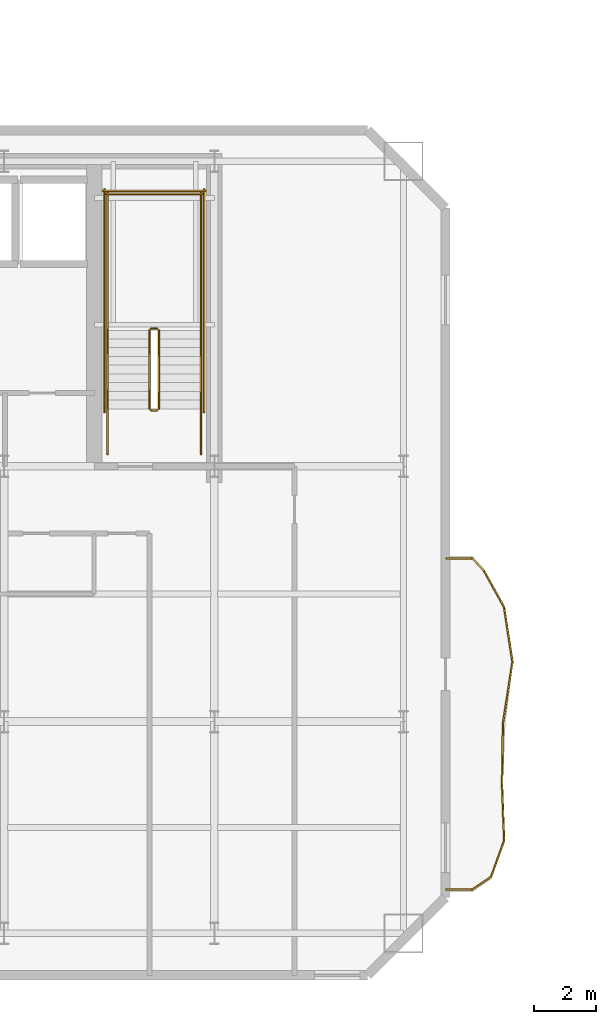
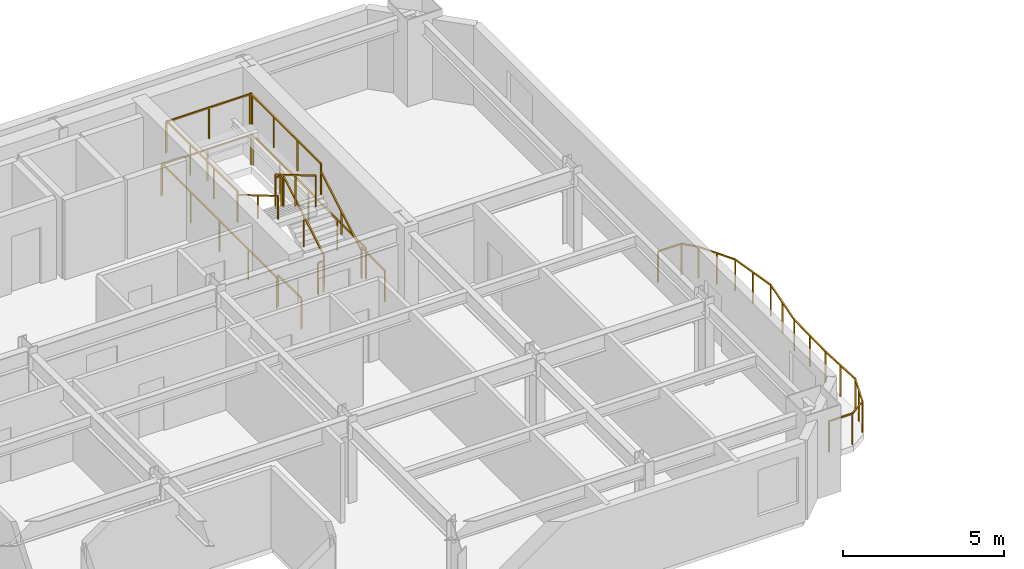
# One storey, part 11 of 13: 24 railings.
"""IFC4 building model written with IfcOpenShell, lengths in metres."""

from ifc_helpers import new_model, si_unit, direction, frame, origin, origin_2d, place, context, subcontext, project, spatial, rectangle, extrude, material, type_object, element, save


model = new_model("IFC4")

# Units and contexts
model_context = context("Model", 3, precision=1e-05, world=origin(), true_north=direction((0.0, 1.0)))
body_context = subcontext(model_context, "Body", "Model", "MODEL_VIEW")
ifc_project = project(units=[si_unit("LENGTHUNIT", "METRE"), si_unit("AREAUNIT", "SQUARE_METRE"), si_unit("VOLUMEUNIT", "CUBIC_METRE"), si_unit("PLANEANGLEUNIT", "RADIAN"), si_unit("MASSUNIT", "GRAM", prefix="KILO")], contexts=[model_context])

# Site, building, storey
site_placement = place(None, origin())
site = spatial("IfcSite", under=ifc_project, at=site_placement, CompositionType="ELEMENT")
building_placement = place(site_placement, origin())
building = spatial("IfcBuilding", under=site, at=building_placement, Name="Haevon Station Towers", CompositionType="ELEMENT")
storey_placement = place(building_placement, frame((0.0, 0.0, 159.300048828125)))
storey = spatial("IfcBuildingStorey", under=building, at=storey_placement, Name="L43", CompositionType="ELEMENT", Elevation=159.300048828125)

# Railings
ifc_material = material(Name="Steel S355", Category="steel")
railing_type_1 = type_object("IfcRailingType", Name="GRD-EXT1200", PredefinedType="GUARDRAIL", material=ifc_material)
railing_1_placement = place(storey_placement, frame((58.448486328125, 24.602783203125, 0.0)))
element("IfcRailing", 1, at=railing_1_placement, inside=storey, type_object=railing_type_1, Name="L43 Perimeter Guardrail 1", PredefinedType="GUARDRAIL", context=body_context, shape_type="SweptSolid", body=[
    extrude(rectangle(XDim=0.048095703125, YDim=0.048095703125, at=origin_2d()), frame((0.0, 0.0, 1.17578125), z_axis=(0.999997283225, 0.002330995998, 0.0), x_axis=(-0.002330995998, 0.999997283225, 0.0)), (0.0, 0.0, 1.0), 0.837890625),
    extrude(rectangle(XDim=0.0419921875, YDim=0.0419921875, at=origin_2d()), origin(), (0.0, 0.0, 1.0), 1.15185546875),
    extrude(rectangle(XDim=0.0419921875, YDim=0.0419921875, at=origin_2d()), frame((0.837890625, 0.001953125, 0.0)), (0.0, 0.0, 1.0), 1.15185546875),
])
railing_2_placement = place(storey_placement, frame((59.286376953125, 24.604736328125, 0.0)))
element("IfcRailing", 2, at=railing_2_placement, inside=storey, type_object=railing_type_1, Name="L43 Perimeter Guardrail 2", PredefinedType="GUARDRAIL", context=body_context, shape_type="SweptSolid", body=[
    extrude(rectangle(XDim=0.048095703125, YDim=0.048095703125, at=origin_2d()), frame((0.0, 0.0, 1.17578125), z_axis=(0.826509956725, 0.56292210068, 0.0), x_axis=(-0.56292210068, 0.826509956725, 0.0)), (0.0, 0.0, 1.0), 0.730712890625),
    extrude(rectangle(XDim=0.0419921875, YDim=0.0419921875, at=origin_2d()), origin(), (0.0, 0.0, 1.0), 1.15185546875),
    extrude(rectangle(XDim=0.0419921875, YDim=0.0419921875, at=origin_2d()), frame((0.60400390625, 0.411376953125, 0.0)), (0.0, 0.0, 1.0), 1.15185546875),
])
railing_3_placement = place(storey_placement, frame((59.890380859375, 25.01611328125, 0.0)))
element("IfcRailing", 3, at=railing_3_placement, inside=storey, type_object=railing_type_1, Name="L43 Perimeter Guardrail 3", PredefinedType="GUARDRAIL", context=body_context, shape_type="SweptSolid", body=[
    extrude(rectangle(XDim=0.048095703125, YDim=0.048095703125, at=origin_2d()), frame((0.0, 0.0, 1.17578125), z_axis=(0.337431724069, 0.941350004829, 0.0), x_axis=(-0.941350004829, 0.337431724069, 0.0)), (0.0, 0.0, 1.0), 1.2421875),
    extrude(rectangle(XDim=0.0419921875, YDim=0.0419921875, at=origin_2d()), origin(), (0.0, 0.0, 1.0), 1.15185546875),
    extrude(rectangle(XDim=0.0419921875, YDim=0.0419921875, at=origin_2d()), frame((0.20947265625, 0.584716796875, 0.0)), (0.0, 0.0, 1.0), 1.15185546875),
    extrude(rectangle(XDim=0.0419921875, YDim=0.0419921875, at=origin_2d()), frame((0.419189453125, 1.16943359375, 0.0)), (0.0, 0.0, 1.0), 1.15185546875),
])
railing_4_placement = place(storey_placement, frame((60.3095703125, 26.185546875, 0.0)))
element("IfcRailing", 4, at=railing_4_placement, inside=storey, type_object=railing_type_1, Name="L43 Perimeter Guardrail 4", PredefinedType="GUARDRAIL", context=body_context, shape_type="SweptSolid", body=[
    extrude(rectangle(XDim=0.048095703125, YDim=0.048095703125, at=origin_2d()), frame((0.0, 0.0, 1.17578125), z_axis=(-0.036800275781, 0.999322640443, 0.0), x_axis=(-0.999322640443, -0.036800275781, 0.0)), (0.0, 0.0, 1.0), 1.75146484375),
    extrude(rectangle(XDim=0.0419921875, YDim=0.0419921875, at=origin_2d()), origin(), (0.0, 0.0, 1.0), 1.15185546875),
    extrude(rectangle(XDim=0.0419921875, YDim=0.0419921875, at=origin_2d()), frame((-0.0322265625, 0.875, 0.0)), (0.0, 0.0, 1.0), 1.15185546875),
    extrude(rectangle(XDim=0.0419921875, YDim=0.0419921875, at=origin_2d()), frame((-0.064453125, 1.750244140625, 0.0)), (0.0, 0.0, 1.0), 1.15185546875),
])
railing_5_placement = place(storey_placement, frame((60.2451171875, 27.935791015625, 0.0)))
element("IfcRailing", 5, at=railing_5_placement, inside=storey, type_object=railing_type_1, Name="L43 Perimeter Guardrail 5", PredefinedType="GUARDRAIL", context=body_context, shape_type="SweptSolid", body=[
    extrude(rectangle(XDim=0.048095703125, YDim=0.048095703125, at=origin_2d()), frame((0.0, 0.0, 1.17578125), z_axis=(0.01276282884, 0.999918551783, 0.0), x_axis=(-0.999918551783, 0.01276282884, 0.0)), (0.0, 0.0, 1.0), 1.989501953125),
    extrude(rectangle(XDim=0.0419921875, YDim=0.0419921875, at=origin_2d()), origin(), (0.0, 0.0, 1.0), 1.15185546875),
    extrude(rectangle(XDim=0.0419921875, YDim=0.0419921875, at=origin_2d()), frame((0.0126953125, 0.99462890625, 0.0)), (0.0, 0.0, 1.0), 1.15185546875),
    extrude(rectangle(XDim=0.0419921875, YDim=0.0419921875, at=origin_2d()), frame((0.025390625, 1.9892578125, 0.0)), (0.0, 0.0, 1.0), 1.15185546875),
])
railing_6_placement = place(storey_placement, frame((60.2705078125, 29.925048828125, 0.0)))
element("IfcRailing", 6, at=railing_6_placement, inside=storey, type_object=railing_type_1, Name="L43 Perimeter Guardrail 6", PredefinedType="GUARDRAIL", context=body_context, shape_type="SweptSolid", body=[
    extrude(rectangle(XDim=0.048095703125, YDim=0.048095703125, at=origin_2d()), frame((0.0, 0.0, 1.17578125), z_axis=(0.151957098887, 0.988387090212, 0.0), x_axis=(-0.988387090212, 0.151957098887, 0.0)), (0.0, 0.0, 1.0), 2.016357421875),
    extrude(rectangle(XDim=0.0419921875, YDim=0.0419921875, at=origin_2d()), origin(), (0.0, 0.0, 1.0), 1.15185546875),
    extrude(rectangle(XDim=0.0419921875, YDim=0.0419921875, at=origin_2d()), frame((0.1533203125, 0.99658203125, 0.0)), (0.0, 0.0, 1.0), 1.15185546875),
    extrude(rectangle(XDim=0.0419921875, YDim=0.0419921875, at=origin_2d()), frame((0.306396484375, 1.992919921875, 0.0)), (0.0, 0.0, 1.0), 1.15185546875),
])
railing_7_placement = place(storey_placement, frame((60.576904296875, 31.91796875, 0.0)))
element("IfcRailing", 7, at=railing_7_placement, inside=storey, type_object=railing_type_1, Name="L43 Perimeter Guardrail 7", PredefinedType="GUARDRAIL", context=body_context, shape_type="SweptSolid", body=[
    extrude(rectangle(XDim=0.048095703125, YDim=0.048095703125, at=origin_2d()), frame((0.0, 0.0, 1.17578125), z_axis=(-0.151319853564, 0.988484851638, 0.0), x_axis=(-0.988484851638, -0.151319853564, 0.0)), (0.0, 0.0, 1.0), 1.7666015625),
    extrude(rectangle(XDim=0.0419921875, YDim=0.0419921875, at=origin_2d()), origin(), (0.0, 0.0, 1.0), 1.15185546875),
    extrude(rectangle(XDim=0.0419921875, YDim=0.0419921875, at=origin_2d()), frame((-0.1337890625, 0.873046875, 0.0)), (0.0, 0.0, 1.0), 1.15185546875),
    extrude(rectangle(XDim=0.0419921875, YDim=0.0419921875, at=origin_2d()), frame((-0.267333984375, 1.746337890625, 0.0)), (0.0, 0.0, 1.0), 1.15185546875),
])
railing_8_placement = place(storey_placement, frame((60.3095703125, 33.664306640625, 0.0)))
element("IfcRailing", 8, at=railing_8_placement, inside=storey, type_object=railing_type_1, Name="L43 Perimeter Guardrail 8", PredefinedType="GUARDRAIL", context=body_context, shape_type="SweptSolid", body=[
    extrude(rectangle(XDim=0.048095703125, YDim=0.048095703125, at=origin_2d()), frame((0.0, 0.0, 1.17578125), z_axis=(-0.483314021396, 0.875447061062, 0.0), x_axis=(-0.875447061062, -0.483314021396, 0.0)), (0.0, 0.0, 1.0), 1.336181640625),
    extrude(rectangle(XDim=0.0419921875, YDim=0.0419921875, at=origin_2d()), origin(), (0.0, 0.0, 1.0), 1.15185546875),
    extrude(rectangle(XDim=0.0419921875, YDim=0.0419921875, at=origin_2d()), frame((-0.32275390625, 0.5849609375, 0.0)), (0.0, 0.0, 1.0), 1.15185546875),
    extrude(rectangle(XDim=0.0419921875, YDim=0.0419921875, at=origin_2d()), frame((-0.645751953125, 1.169677734375, 0.0)), (0.0, 0.0, 1.0), 1.15185546875),
])
railing_9_placement = place(storey_placement, frame((59.663818359375, 34.833984375, 0.0)))
element("IfcRailing", 9, at=railing_9_placement, inside=storey, type_object=railing_type_1, Name="L43 Perimeter Guardrail 9", PredefinedType="GUARDRAIL", context=body_context, shape_type="SweptSolid", body=[
    extrude(rectangle(XDim=0.048095703125, YDim=0.048095703125, at=origin_2d()), frame((0.0, 0.0, 1.17578125), z_axis=(-0.676061194254, 0.736845480154, 0.0), x_axis=(-0.736845480154, -0.676061194254, 0.0)), (0.0, 0.0, 1.0), 0.558349609375),
    extrude(rectangle(XDim=0.0419921875, YDim=0.0419921875, at=origin_2d()), origin(), (0.0, 0.0, 1.0), 1.15185546875),
    extrude(rectangle(XDim=0.0419921875, YDim=0.0419921875, at=origin_2d()), frame((-0.37744140625, 0.411376953125, 0.0)), (0.0, 0.0, 1.0), 1.15185546875),
])
railing_10_placement = place(storey_placement, frame((59.286376953125, 35.245361328125, 0.0)))
element("IfcRailing", 10, at=railing_10_placement, inside=storey, type_object=railing_type_1, Name="L43 Perimeter Guardrail 10", PredefinedType="GUARDRAIL", context=body_context, shape_type="SweptSolid", body=[
    extrude(rectangle(XDim=0.048095703125, YDim=0.048095703125, at=origin_2d()), frame((0.0, 0.0, 1.17578125), z_axis=(-0.999997919967, 0.002039622797, 0.0), x_axis=(-0.002039622797, -0.999997919967, 0.0)), (0.0, 0.0, 1.0), 0.837890625),
    extrude(rectangle(XDim=0.0419921875, YDim=0.0419921875, at=origin_2d()), origin(), (0.0, 0.0, 1.0), 1.15185546875),
    extrude(rectangle(XDim=0.0419921875, YDim=0.0419921875, at=origin_2d()), frame((-0.837890625, 0.001708984375, 0.0)), (0.0, 0.0, 1.0), 1.15185546875),
])
railing_type_2 = type_object("IfcRailingType", Name="GRD-STR1200", PredefinedType="GUARDRAIL", material=ifc_material)
railing_11_placement = place(storey_placement, frame((49.219970703125, 40.050048828125, 0.1650390625)))
element("IfcRailing", 11, at=railing_11_placement, inside=storey, type_object=railing_type_2, Name="L43 ST2 Stair Guard 1", PredefinedType="GUARDRAIL", context=body_context, shape_type="SweptSolid", body=[
    extrude(rectangle(XDim=0.048095703125, YDim=0.048095703125, at=origin_2d()), frame((0.0, 0.0, 1.17578125), z_axis=(0.0, 0.861560626758, 0.507654692109), x_axis=(-1.0, 0.0, 0.0)), (0.0, 0.0, 1.0), 2.925048828125),
    extrude(rectangle(XDim=0.0419921875, YDim=0.0419921875, at=origin_2d()), origin(), (0.0, 0.0, 1.0), 1.15185546875),
    extrude(rectangle(XDim=0.0419921875, YDim=0.0419921875, at=origin_2d()), frame((0.0, 1.260009765625, 0.742431640625)), (0.0, 0.0, 1.0), 1.15185546875),
    extrude(rectangle(XDim=0.0419921875, YDim=0.0419921875, at=origin_2d()), frame((0.0, 2.52001953125, 1.48486328125)), (0.0, 0.0, 1.0), 1.15185546875),
])
railing_12_placement = place(storey_placement, frame((49.169921875, 42.6201171875, 1.64990234375)))
element("IfcRailing", 12, at=railing_12_placement, inside=storey, type_object=railing_type_2, Name="L43 ST2 Stair Guard 2", PredefinedType="GUARDRAIL", context=body_context, shape_type="SweptSolid", body=[
    extrude(rectangle(XDim=0.048095703125, YDim=0.048095703125, at=origin_2d()), frame((0.0, 0.0, 1.17578125), z_axis=(-1.0, 0.0, 0.0), x_axis=(0.0, -1.0, 0.0)), (0.0, 0.0, 1.0), 0.199951171875),
    extrude(rectangle(XDim=0.0419921875, YDim=0.0419921875, at=origin_2d()), origin(), (0.0, 0.0, 1.0), 1.15185546875),
    extrude(rectangle(XDim=0.0419921875, YDim=0.0419921875, at=origin_2d()), frame((-0.199951171875, 0.0, 0.0)), (0.0, 0.0, 1.0), 1.15185546875),
])
for number, where, name in (
    (13, (50.570068359375, 42.570068359375, 1.64990234375), "L43 ST2 Stair Guard 3"),
    (14, (47.570068359375, 42.570068359375, 1.64990234375), "L43 ST2 Stair Guard 4"),
):
    element("IfcRailing", number, at=place(storey_placement, frame(where)), inside=storey, type_object=railing_type_2, Name=name, PredefinedType="GUARDRAIL", context=body_context, shape_type="SweptSolid", body=[
        extrude(rectangle(XDim=0.048095703125, YDim=0.048095703125, at=origin_2d()), frame((0.0, 0.0, 1.17578125), z_axis=(0.0, 1.0, 0.0), x_axis=(-1.0, 0.0, 0.0)), (0.0, 0.0, 1.0), 4.429931640625),
        extrude(rectangle(XDim=0.0419921875, YDim=0.0419921875, at=origin_2d()), origin(), (0.0, 0.0, 1.0), 1.15185546875),
        extrude(rectangle(XDim=0.0419921875, YDim=0.0419921875, at=origin_2d()), frame((0.0, 1.4765625, 0.0)), (0.0, 0.0, 1.0), 1.15185546875),
        extrude(rectangle(XDim=0.0419921875, YDim=0.0419921875, at=origin_2d()), frame((0.0, 2.953369140625, 0.0)), (0.0, 0.0, 1.0), 1.15185546875),
        extrude(rectangle(XDim=0.0419921875, YDim=0.0419921875, at=origin_2d()), frame((0.0, 4.429931640625, 0.0)), (0.0, 0.0, 1.0), 1.15185546875),
    ])
railing_13_placement = place(storey_placement, frame((50.6201171875, 46.949951171875, 1.64990234375)))
element("IfcRailing", 15, at=railing_13_placement, inside=storey, type_object=railing_type_2, Name="L43 ST2 Stair Guard 5", PredefinedType="GUARDRAIL", context=body_context, shape_type="SweptSolid", body=[
    extrude(rectangle(XDim=0.048095703125, YDim=0.048095703125, at=origin_2d()), frame((0.0, 0.0, 1.17578125), z_axis=(-1.0, 0.0, 0.0), x_axis=(0.0, -1.0, 0.0)), (0.0, 0.0, 1.0), 3.10009765625),
    extrude(rectangle(XDim=0.0419921875, YDim=0.0419921875, at=origin_2d()), origin(), (0.0, 0.0, 1.0), 1.15185546875),
    extrude(rectangle(XDim=0.0419921875, YDim=0.0419921875, at=origin_2d()), frame((-1.550048828125, 0.0, 0.0)), (0.0, 0.0, 1.0), 1.15185546875),
    extrude(rectangle(XDim=0.0419921875, YDim=0.0419921875, at=origin_2d()), frame((-3.10009765625, 0.0, 0.0)), (0.0, 0.0, 1.0), 1.15185546875),
])
railing_14_placement = place(storey_placement, frame((48.919921875, 42.570068359375, 1.81494140625)))
element("IfcRailing", 16, at=railing_14_placement, inside=storey, type_object=railing_type_2, Name="L43 ST2 Stair Guard 6", PredefinedType="GUARDRAIL", context=body_context, shape_type="SweptSolid", body=[
    extrude(rectangle(XDim=0.048095703125, YDim=0.048095703125, at=origin_2d()), frame((0.0, 0.0, 1.17578125), z_axis=(0.0, -0.86152411907, 0.507716645641), x_axis=(1.0, 0.0, 0.0)), (0.0, 0.0, 1.0), 2.925048828125),
    extrude(rectangle(XDim=0.0419921875, YDim=0.0419921875, at=origin_2d()), origin(), (0.0, 0.0, 1.0), 1.15185546875),
    extrude(rectangle(XDim=0.0419921875, YDim=0.0419921875, at=origin_2d()), frame((0.0, -1.260009765625, 0.74267578125)), (0.0, 0.0, 1.0), 1.15185546875),
    extrude(rectangle(XDim=0.0419921875, YDim=0.0419921875, at=origin_2d()), frame((0.0, -2.52001953125, 1.485107421875)), (0.0, 0.0, 1.0), 1.15185546875),
])
railing_15_placement = place(storey_placement, frame((49.169921875, 40.0, 0.0)))
element("IfcRailing", 17, at=railing_15_placement, inside=storey, type_object=railing_type_2, Name="L43 ST2 Stair Guard 7", PredefinedType="GUARDRAIL", context=body_context, shape_type="SweptSolid", body=[
    extrude(rectangle(XDim=0.048095703125, YDim=0.048095703125, at=origin_2d()), frame((0.0, 0.0, 1.17578125), z_axis=(-1.0, 0.0, 0.0), x_axis=(0.0, -1.0, 0.0)), (0.0, 0.0, 1.0), 0.199951171875),
    extrude(rectangle(XDim=0.0419921875, YDim=0.0419921875, at=origin_2d()), origin(), (0.0, 0.0, 1.0), 1.15185546875),
    extrude(rectangle(XDim=0.0419921875, YDim=0.0419921875, at=origin_2d()), frame((-0.199951171875, 0.0, 0.0)), (0.0, 0.0, 1.0), 1.15185546875),
])
for number, where, name in (
    (18, (50.570068359375, 38.60009765625, 0.0), "L43 ST2 Stair Guard 8"),
    (19, (47.570068359375, 38.60009765625, 0.0), "L43 ST2 Stair Guard 9"),
):
    element("IfcRailing", number, at=place(storey_placement, frame(where)), inside=storey, type_object=railing_type_2, Name=name, PredefinedType="GUARDRAIL", context=body_context, shape_type="SweptSolid", body=[
        extrude(rectangle(XDim=0.048095703125, YDim=0.048095703125, at=origin_2d()), frame((0.0, 0.0, 1.17578125), z_axis=(0.0, 1.0, 0.0), x_axis=(-1.0, 0.0, 0.0)), (0.0, 0.0, 1.0), 1.449951171875),
        extrude(rectangle(XDim=0.0419921875, YDim=0.0419921875, at=origin_2d()), origin(), (0.0, 0.0, 1.0), 1.15185546875),
        extrude(rectangle(XDim=0.0419921875, YDim=0.0419921875, at=origin_2d()), frame((0.0, 1.449951171875, 0.0)), (0.0, 0.0, 1.0), 1.15185546875),
    ])
for number, where, name in (
    (20, (50.669921875, 39.949951171875, 0.0), "L43 ST2 Stair Guard 10"),
    (21, (47.469970703125, 39.949951171875, 0.0), "L43 ST2 Stair Guard 11"),
):
    element("IfcRailing", number, at=place(storey_placement, frame(where)), inside=storey, type_object=railing_type_2, Name=name, PredefinedType="GUARDRAIL", context=body_context, shape_type="SweptSolid", body=[
        extrude(rectangle(XDim=0.048095703125, YDim=0.048095703125, at=origin_2d()), frame((0.0, 0.0, 1.17578125), z_axis=(0.0, 1.0, 0.0), x_axis=(-1.0, 0.0, 0.0)), (0.0, 0.0, 1.0), 7.150146484375),
        extrude(rectangle(XDim=0.0419921875, YDim=0.0419921875, at=origin_2d()), origin(), (0.0, 0.0, 1.0), 1.15185546875),
        extrude(rectangle(XDim=0.0419921875, YDim=0.0419921875, at=origin_2d()), frame((0.0, 1.78759765625, 0.0)), (0.0, 0.0, 1.0), 1.15185546875),
        extrude(rectangle(XDim=0.0419921875, YDim=0.0419921875, at=origin_2d()), frame((0.0, 3.5751953125, 0.0)), (0.0, 0.0, 1.0), 1.15185546875),
        extrude(rectangle(XDim=0.0419921875, YDim=0.0419921875, at=origin_2d()), frame((0.0, 5.362548828125, 0.0)), (0.0, 0.0, 1.0), 1.15185546875),
        extrude(rectangle(XDim=0.0419921875, YDim=0.0419921875, at=origin_2d()), frame((0.0, 7.150146484375, 0.0)), (0.0, 0.0, 1.0), 1.15185546875),
    ])
railing_16_placement = place(storey_placement, frame((50.719970703125, 47.050048828125, 0.0)))
element("IfcRailing", 22, at=railing_16_placement, inside=storey, type_object=railing_type_2, Name="L43 ST2 Stair Guard 12", PredefinedType="GUARDRAIL", context=body_context, shape_type="SweptSolid", body=[
    extrude(rectangle(XDim=0.048095703125, YDim=0.048095703125, at=origin_2d()), frame((0.0, 0.0, 1.17578125), z_axis=(-1.0, 0.0, 0.0), x_axis=(0.0, -1.0, 0.0)), (0.0, 0.0, 1.0), 3.300048828125),
    extrude(rectangle(XDim=0.0419921875, YDim=0.0419921875, at=origin_2d()), origin(), (0.0, 0.0, 1.0), 1.15185546875),
    extrude(rectangle(XDim=0.0419921875, YDim=0.0419921875, at=origin_2d()), frame((-1.64990234375, 0.0, 0.0)), (0.0, 0.0, 1.0), 1.15185546875),
    extrude(rectangle(XDim=0.0419921875, YDim=0.0419921875, at=origin_2d()), frame((-3.300048828125, 0.0, 0.0)), (0.0, 0.0, 1.0), 1.15185546875),
])
railing_type_3 = type_object("IfcRailingType", Name="HND-STR900", PredefinedType="HANDRAIL", material=ifc_material)
railing_17_placement = place(storey_placement, frame((50.570068359375, 40.050048828125, 0.1650390625)))
element("IfcRailing", 23, at=railing_17_placement, inside=storey, type_object=railing_type_3, Name="L43 ST2 Stair Handrail 1", PredefinedType="HANDRAIL", context=body_context, shape_type="SweptSolid", body=[
    extrude(rectangle(XDim=0.048095703125, YDim=0.048095703125, at=origin_2d()), frame((0.0, 0.0, 0.8759765625), z_axis=(0.0, 0.861560626758, 0.507654692109), x_axis=(-1.0, 0.0, 0.0)), (0.0, 0.0, 1.0), 2.925048828125),
    extrude(rectangle(XDim=0.0419921875, YDim=0.0419921875, at=origin_2d()), origin(), (0.0, 0.0, 1.0), 0.851806640625),
    extrude(rectangle(XDim=0.0419921875, YDim=0.0419921875, at=origin_2d()), frame((0.0, 1.260009765625, 0.742431640625)), (0.0, 0.0, 1.0), 0.851806640625),
    extrude(rectangle(XDim=0.0419921875, YDim=0.0419921875, at=origin_2d()), frame((0.0, 2.52001953125, 1.48486328125)), (0.0, 0.0, 1.0), 0.851806640625),
])
railing_18_placement = place(storey_placement, frame((47.570068359375, 42.570068359375, 1.81494140625)))
element("IfcRailing", 24, at=railing_18_placement, inside=storey, type_object=railing_type_3, Name="L43 ST2 Stair Handrail 2", PredefinedType="HANDRAIL", context=body_context, shape_type="SweptSolid", body=[
    extrude(rectangle(XDim=0.048095703125, YDim=0.048095703125, at=origin_2d()), frame((0.0, 0.0, 0.8759765625), z_axis=(0.0, -0.86152411907, 0.507716645641), x_axis=(1.0, 0.0, 0.0)), (0.0, 0.0, 1.0), 2.925048828125),
    extrude(rectangle(XDim=0.0419921875, YDim=0.0419921875, at=origin_2d()), origin(), (0.0, 0.0, 1.0), 0.851806640625),
    extrude(rectangle(XDim=0.0419921875, YDim=0.0419921875, at=origin_2d()), frame((0.0, -1.260009765625, 0.74267578125)), (0.0, 0.0, 1.0), 0.851806640625),
    extrude(rectangle(XDim=0.0419921875, YDim=0.0419921875, at=origin_2d()), frame((0.0, -2.52001953125, 1.485107421875)), (0.0, 0.0, 1.0), 0.851806640625),
])

save(model, "model.ifc")
